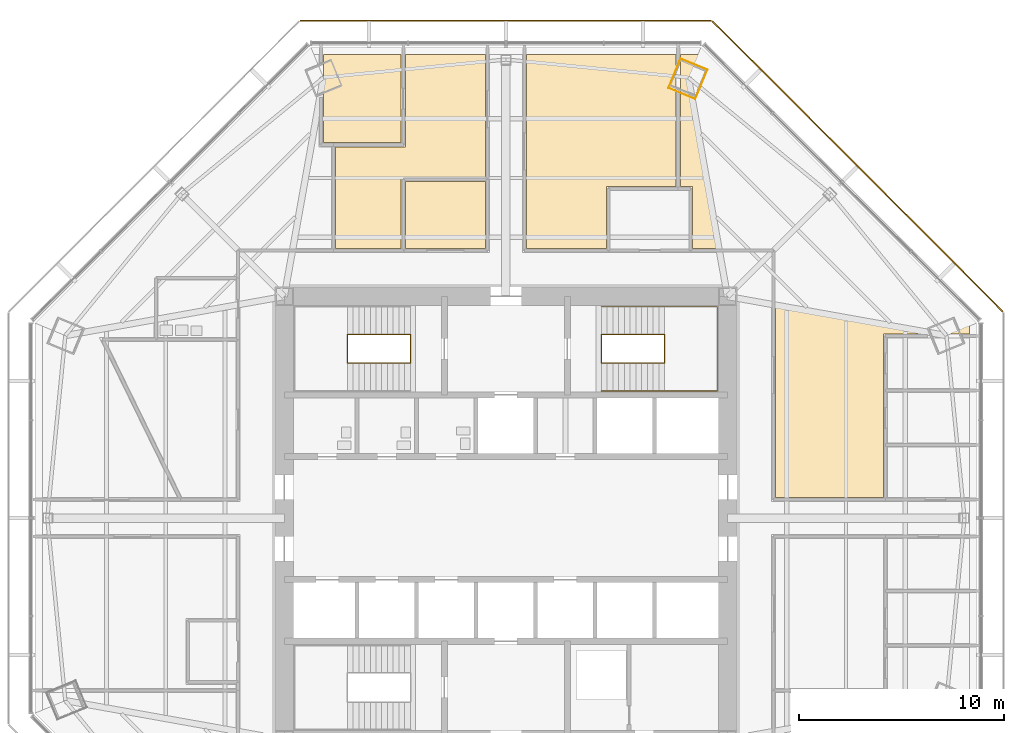
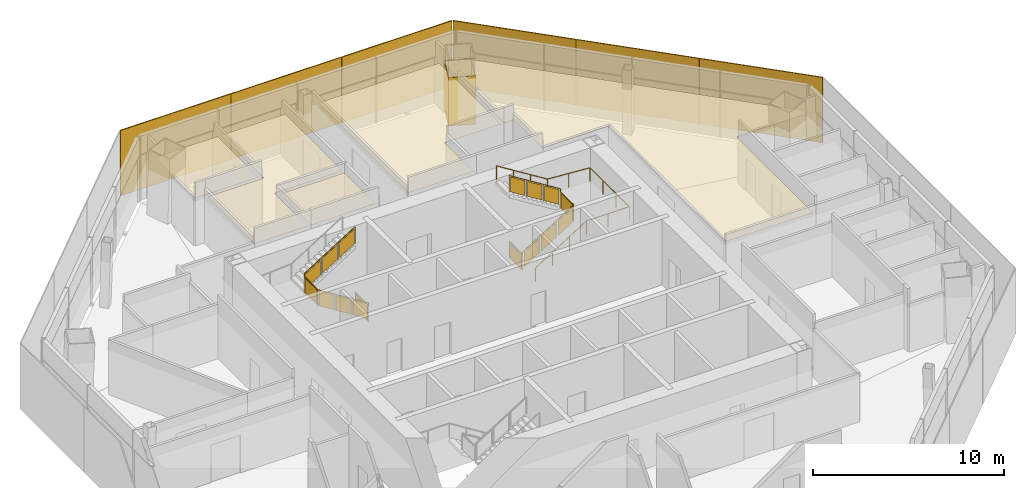
# One storey, part 14 of 15: 6 coverings, 6 shading devices, 3 railings.
"""IFC4 building model written with IfcOpenShell, lengths in metres."""

from ifc_helpers import new_model, si_unit, direction, frame, origin, origin_2d, place, context, subcontext, project, spatial, polyline, rectangle, circle, outline, extrude, source, transform, mapped, material, layer, layer_set, type_object, type_shapes, element, save


model = new_model("IFC4")

# Units and contexts
model_context = context("Model", 3, precision=1e-05, world=origin(), true_north=direction((0.0, 1.0)))
body_context = subcontext(model_context, "Body", "Model", "MODEL_VIEW")
ifc_project = project(units=[si_unit("LENGTHUNIT", "METRE"), si_unit("AREAUNIT", "SQUARE_METRE"), si_unit("VOLUMEUNIT", "CUBIC_METRE"), si_unit("PLANEANGLEUNIT", "RADIAN"), si_unit("MASSUNIT", "GRAM", prefix="KILO")], contexts=[model_context])

# Site, building, storey
site_placement = place(None, origin())
site = spatial("IfcSite", under=ifc_project, at=site_placement, CompositionType="ELEMENT")
building_placement = place(site_placement, origin())
building = spatial("IfcBuilding", under=site, at=building_placement, Name="Mashrafa Tower", CompositionType="ELEMENT")
storey_placement = place(building_placement, frame((0.0, 0.0, 172.199951171875)))
storey = spatial("IfcBuildingStorey", under=building, at=storey_placement, Name="L39", CompositionType="ELEMENT", Elevation=172.199951171875)

# Covering
ifc_material_1 = material(Name="Gypsum board")
ifc_layer_1 = layer(ifc_material_1, 0.014892578125)
ifc_layer_set_1 = layer_set([ifc_layer_1], Name="Column casing plasterboard 15")
covering_type_1 = type_object("IfcCoveringType", Name="Column casing plasterboard 15", PredefinedType="CLADDING", material=ifc_layer_set_1)
covering_1_placement = place(storey_placement, origin())
element("IfcCovering", 1, at=covering_1_placement, inside=storey, type_object=covering_type_1, Name="Column casing L39-001", PredefinedType="CLADDING", context=body_context, shape_type="SweptSolid", body=[
    extrude(outline(polyline([(7.90771484375, 20.958984375), (8.449462890625, 22.26708984375), (8.50439453125, 22.399658203125), (9.825439453125, 21.8525390625), (9.28369140625, 20.544677734375), (9.228759765625, 20.411865234375), (7.90771484375, 20.958984375)]), holes=[polyline([(9.27001953125, 20.55029296875), (9.805908203125, 21.844482421875), (8.512451171875, 22.380126953125), (8.46337890625, 22.26123046875), (7.92724609375, 20.96728515625), (9.220703125, 20.431396484375), (9.27001953125, 20.55029296875)])]), origin(), (0.0, 0.0, 1.0), 3.097900390625),
])

# Railings
ifc_material_2 = material(Name="Steel guard with glass infill", Category="steel")
railing_type_1 = type_object("IfcRailingType", Name="Stair guard 1100", PredefinedType="GUARDRAIL", material=ifc_material_2)
railing_1_placement = place(storey_placement, frame((-4.64990234375, 8.949951171875, 0.0)))
element("IfcRailing", 2, at=railing_1_placement, inside=storey, type_object=railing_type_1, Name="Stair S1 guard L39", PredefinedType="GUARDRAIL", context=body_context, shape_type="SweptSolid", body=[
    extrude(circle(Radius=0.02392578125, at=origin_2d()), frame((0.0, 0.0, 1.076171875), z_axis=(0.0, -1.0, 0.0), x_axis=(1.0, 0.0, 0.0)), (0.0, 0.0, 1.0), 1.39990234375),
    extrude(circle(Radius=0.02392578125, at=origin_2d()), frame((0.0, -1.39990234375, 1.076171875), z_axis=(0.0, 0.0, 1.0), x_axis=(1.0, 0.0, 0.0)), (0.0, 0.0, 1.0), 0.175048828125),
    extrude(circle(Radius=0.02392578125, at=origin_2d()), frame((0.0, -1.39990234375, 1.2509765625), z_axis=(-0.847998304005, 0.0, 0.529998940003), x_axis=(0.0, -1.0, 0.0)), (0.0, 0.0, 1.0), 3.632080078125),
    extrude(circle(Radius=0.02392578125, at=origin_2d()), frame((-3.080078125, -1.39990234375, 3.17626953125), z_axis=(0.0, 1.0, 0.0), x_axis=(-1.0, 0.0, 0.0)), (0.0, 0.0, 1.0), 1.39990234375),
    extrude(circle(Radius=0.02392578125, at=origin_2d()), frame((-3.080078125, 0.0, 3.17626953125), z_axis=(0.0, 0.0, 1.0), x_axis=(1.0, 0.0, 0.0)), (0.0, 0.0, 1.0), 0.175048828125),
    extrude(circle(Radius=0.02392578125, at=origin_2d()), frame((-3.080078125, 0.0, 3.35107421875), z_axis=(0.848028513186, 0.0, 0.529950602248), x_axis=(0.0, 1.0, 0.0)), (0.0, 0.0, 1.0), 3.632080078125),
    extrude(circle(Radius=0.02099609375, at=origin_2d()), origin(), (0.0, 0.0, 1.0), 1.052001953125),
    extrude(circle(Radius=0.02099609375, at=origin_2d()), frame((0.0, -1.39990234375, 0.0)), (0.0, 0.0, 1.0), 1.052001953125),
    extrude(circle(Radius=0.02099609375, at=origin_2d()), frame((0.0, -1.39990234375, 0.175048828125)), (0.0, 0.0, 1.0), 1.052001953125),
    extrude(circle(Radius=0.02099609375, at=origin_2d()), frame((-1.026611328125, -1.39990234375, 0.816650390625)), (0.0, 0.0, 1.0), 1.052001953125),
    extrude(circle(Radius=0.02099609375, at=origin_2d()), frame((-2.053466796875, -1.39990234375, 1.45849609375)), (0.0, 0.0, 1.0), 1.052001953125),
    extrude(circle(Radius=0.02099609375, at=origin_2d()), frame((-3.080078125, -1.39990234375, 2.10009765625)), (0.0, 0.0, 1.0), 1.052001953125),
    extrude(circle(Radius=0.02099609375, at=origin_2d()), frame((-3.080078125, 0.0, 2.10009765625)), (0.0, 0.0, 1.0), 1.052001953125),
    extrude(circle(Radius=0.02099609375, at=origin_2d()), frame((-3.080078125, 0.0, 2.275146484375)), (0.0, 0.0, 1.0), 1.052001953125),
    extrude(circle(Radius=0.02099609375, at=origin_2d()), frame((-2.053466796875, 0.0, 2.916748046875)), (0.0, 0.0, 1.0), 1.052001953125),
    extrude(circle(Radius=0.02099609375, at=origin_2d()), frame((-1.026611328125, 0.0, 3.558349609375)), (0.0, 0.0, 1.0), 1.052001953125),
    extrude(circle(Radius=0.02099609375, at=origin_2d()), frame((0.0, 0.0, 4.199951171875)), (0.0, 0.0, 1.0), 1.052001953125),
    extrude(outline(polyline([(0.071044921875, 0.050048828125), (1.328857421875, 0.050048828125), (1.328857421875, 1.001953125), (0.071044921875, 1.001953125), (0.071044921875, 0.050048828125)])), frame((-0.006103515625, 0.0, 0.0), z_axis=(-1.0, 0.0, 0.0), x_axis=(0.0, -1.0, 0.0)), (0.0, 0.0, 1.0), 0.011962890625),
    extrude(outline(polyline([(0.071044921875, 0.094482421875), (0.955810546875, 0.647216796875), (0.955810546875, 1.599365234375), (0.071044921875, 1.04638671875), (0.071044921875, 0.094482421875)])), frame((0.0, -1.393798828125, 0.175048828125), z_axis=(0.0, 1.0, 0.0), x_axis=(-1.0, 0.0, 0.0)), (0.0, 0.0, 1.0), 0.011962890625),
    extrude(outline(polyline([(1.09765625, 0.736083984375), (1.982421875, 1.2890625), (1.982421875, 2.240966796875), (1.09765625, 1.68798828125), (1.09765625, 0.736083984375)])), frame((0.0, -1.393798828125, 0.175048828125), z_axis=(0.0, 1.0, 0.0), x_axis=(-1.0, 0.0, 0.0)), (0.0, 0.0, 1.0), 0.011962890625),
    extrude(outline(polyline([(2.124267578125, 1.377685546875), (3.009033203125, 1.9306640625), (3.009033203125, 2.882568359375), (2.124267578125, 2.329833984375), (2.124267578125, 1.377685546875)])), frame((0.0, -1.393798828125, 0.175048828125), z_axis=(0.0, 1.0, 0.0), x_axis=(-1.0, 0.0, 0.0)), (0.0, 0.0, 1.0), 0.011962890625),
    extrude(outline(polyline([(0.071044921875, 0.050048828125), (1.328857421875, 0.050048828125), (1.328857421875, 1.001953125), (0.071044921875, 1.001953125), (0.071044921875, 0.050048828125)])), frame((-3.073974609375, -1.39990234375, 2.10009765625), z_axis=(1.0, 0.0, 0.0), x_axis=(0.0, 1.0, 0.0)), (0.0, 0.0, 1.0), 0.011962890625),
    extrude(outline(polyline([(0.071044921875, 0.094482421875), (0.955810546875, 0.647216796875), (0.955810546875, 1.59912109375), (0.071044921875, 1.04638671875), (0.071044921875, 0.094482421875)])), frame((-3.080078125, -0.006103515625, 2.275146484375), z_axis=(0.0, -1.0, 0.0), x_axis=(1.0, 0.0, 0.0)), (0.0, 0.0, 1.0), 0.011962890625),
    extrude(outline(polyline([(1.09765625, 0.736083984375), (1.982421875, 1.288818359375), (1.982421875, 2.24072265625), (1.09765625, 1.68798828125), (1.09765625, 0.736083984375)])), frame((-3.080078125, -0.006103515625, 2.275146484375), z_axis=(0.0, -1.0, 0.0), x_axis=(1.0, 0.0, 0.0)), (0.0, 0.0, 1.0), 0.011962890625),
    extrude(outline(polyline([(2.124267578125, 1.377685546875), (3.009033203125, 1.930419921875), (3.009033203125, 2.88232421875), (2.124267578125, 2.32958984375), (2.124267578125, 1.377685546875)])), frame((-3.080078125, -0.006103515625, 2.275146484375), z_axis=(0.0, -1.0, 0.0), x_axis=(1.0, 0.0, 0.0)), (0.0, 0.0, 1.0), 0.011962890625),
])
railing_2_placement = place(storey_placement, frame((4.64990234375, 8.949951171875, 0.0)))
element("IfcRailing", 3, at=railing_2_placement, inside=storey, type_object=railing_type_1, Name="Stair S2 guard L39", PredefinedType="GUARDRAIL", context=body_context, shape_type="SweptSolid", body=[
    extrude(circle(Radius=0.02392578125, at=origin_2d()), frame((0.0, 0.0, 1.076171875), z_axis=(0.0, -1.0, 0.0), x_axis=(1.0, 0.0, 0.0)), (0.0, 0.0, 1.0), 1.39990234375),
    extrude(circle(Radius=0.02392578125, at=origin_2d()), frame((0.0, -1.39990234375, 1.076171875), z_axis=(0.0, 0.0, 1.0), x_axis=(1.0, 0.0, 0.0)), (0.0, 0.0, 1.0), 0.175048828125),
    extrude(circle(Radius=0.02392578125, at=origin_2d()), frame((0.0, -1.39990234375, 1.2509765625), z_axis=(0.847998304005, 0.0, 0.529998940003), x_axis=(0.0, 1.0, 0.0)), (0.0, 0.0, 1.0), 3.632080078125),
    extrude(circle(Radius=0.02392578125, at=origin_2d()), frame((3.080078125, -1.39990234375, 3.17626953125), z_axis=(0.0, 1.0, 0.0), x_axis=(-1.0, 0.0, 0.0)), (0.0, 0.0, 1.0), 1.39990234375),
    extrude(circle(Radius=0.02392578125, at=origin_2d()), frame((3.080078125, 0.0, 3.17626953125), z_axis=(0.0, 0.0, 1.0), x_axis=(1.0, 0.0, 0.0)), (0.0, 0.0, 1.0), 0.175048828125),
    extrude(circle(Radius=0.02392578125, at=origin_2d()), frame((3.080078125, 0.0, 3.35107421875), z_axis=(-0.848028513186, 0.0, 0.529950602248), x_axis=(0.0, -1.0, 0.0)), (0.0, 0.0, 1.0), 3.632080078125),
    extrude(circle(Radius=0.02099609375, at=origin_2d()), origin(), (0.0, 0.0, 1.0), 1.052001953125),
    extrude(circle(Radius=0.02099609375, at=origin_2d()), frame((0.0, -1.39990234375, 0.0)), (0.0, 0.0, 1.0), 1.052001953125),
    extrude(circle(Radius=0.02099609375, at=origin_2d()), frame((0.0, -1.39990234375, 0.175048828125)), (0.0, 0.0, 1.0), 1.052001953125),
    extrude(circle(Radius=0.02099609375, at=origin_2d()), frame((1.026611328125, -1.39990234375, 0.816650390625)), (0.0, 0.0, 1.0), 1.052001953125),
    extrude(circle(Radius=0.02099609375, at=origin_2d()), frame((2.053466796875, -1.39990234375, 1.45849609375)), (0.0, 0.0, 1.0), 1.052001953125),
    extrude(circle(Radius=0.02099609375, at=origin_2d()), frame((3.080078125, -1.39990234375, 2.10009765625)), (0.0, 0.0, 1.0), 1.052001953125),
    extrude(circle(Radius=0.02099609375, at=origin_2d()), frame((3.080078125, 0.0, 2.10009765625)), (0.0, 0.0, 1.0), 1.052001953125),
    extrude(circle(Radius=0.02099609375, at=origin_2d()), frame((3.080078125, 0.0, 2.275146484375)), (0.0, 0.0, 1.0), 1.052001953125),
    extrude(circle(Radius=0.02099609375, at=origin_2d()), frame((2.053466796875, 0.0, 2.916748046875)), (0.0, 0.0, 1.0), 1.052001953125),
    extrude(circle(Radius=0.02099609375, at=origin_2d()), frame((1.026611328125, 0.0, 3.558349609375)), (0.0, 0.0, 1.0), 1.052001953125),
    extrude(circle(Radius=0.02099609375, at=origin_2d()), frame((0.0, 0.0, 4.199951171875)), (0.0, 0.0, 1.0), 1.052001953125),
    extrude(outline(polyline([(0.071044921875, 0.050048828125), (1.328857421875, 0.050048828125), (1.328857421875, 1.001953125), (0.071044921875, 1.001953125), (0.071044921875, 0.050048828125)])), frame((-0.006103515625, 0.0, 0.0), z_axis=(-1.0, 0.0, 0.0), x_axis=(0.0, -1.0, 0.0)), (0.0, 0.0, 1.0), 0.011962890625),
    extrude(outline(polyline([(0.071044921875, 0.094482421875), (0.955810546875, 0.647216796875), (0.955810546875, 1.599365234375), (0.071044921875, 1.04638671875), (0.071044921875, 0.094482421875)])), frame((0.0, -1.406005859375, 0.175048828125), z_axis=(0.0, -1.0, 0.0), x_axis=(1.0, 0.0, 0.0)), (0.0, 0.0, 1.0), 0.011962890625),
    extrude(outline(polyline([(1.09765625, 0.736083984375), (1.982421875, 1.2890625), (1.982421875, 2.240966796875), (1.09765625, 1.68798828125), (1.09765625, 0.736083984375)])), frame((0.0, -1.406005859375, 0.175048828125), z_axis=(0.0, -1.0, 0.0), x_axis=(1.0, 0.0, 0.0)), (0.0, 0.0, 1.0), 0.011962890625),
    extrude(outline(polyline([(2.124267578125, 1.377685546875), (3.009033203125, 1.9306640625), (3.009033203125, 2.882568359375), (2.124267578125, 2.329833984375), (2.124267578125, 1.377685546875)])), frame((0.0, -1.406005859375, 0.175048828125), z_axis=(0.0, -1.0, 0.0), x_axis=(1.0, 0.0, 0.0)), (0.0, 0.0, 1.0), 0.011962890625),
    extrude(outline(polyline([(0.071044921875, 0.050048828125), (1.328857421875, 0.050048828125), (1.328857421875, 1.001953125), (0.071044921875, 1.001953125), (0.071044921875, 0.050048828125)])), frame((3.086181640625, -1.39990234375, 2.10009765625), z_axis=(1.0, 0.0, 0.0), x_axis=(0.0, 1.0, 0.0)), (0.0, 0.0, 1.0), 0.011962890625),
    extrude(outline(polyline([(0.071044921875, 0.094482421875), (0.955810546875, 0.647216796875), (0.955810546875, 1.59912109375), (0.071044921875, 1.04638671875), (0.071044921875, 0.094482421875)])), frame((3.080078125, 0.006103515625, 2.275146484375), z_axis=(0.0, 1.0, 0.0), x_axis=(-1.0, 0.0, 0.0)), (0.0, 0.0, 1.0), 0.011962890625),
    extrude(outline(polyline([(1.09765625, 0.736083984375), (1.982421875, 1.288818359375), (1.982421875, 2.24072265625), (1.09765625, 1.68798828125), (1.09765625, 0.736083984375)])), frame((3.080078125, 0.006103515625, 2.275146484375), z_axis=(0.0, 1.0, 0.0), x_axis=(-1.0, 0.0, 0.0)), (0.0, 0.0, 1.0), 0.011962890625),
    extrude(outline(polyline([(2.124267578125, 1.377685546875), (3.009033203125, 1.930419921875), (3.009033203125, 2.88232421875), (2.124267578125, 2.32958984375), (2.124267578125, 1.377685546875)])), frame((3.080078125, 0.006103515625, 2.275146484375), z_axis=(0.0, 1.0, 0.0), x_axis=(-1.0, 0.0, 0.0)), (0.0, 0.0, 1.0), 0.011962890625),
])
ifc_material_3 = material(Name="Steel", Category="steel")
railing_type_2 = type_object("IfcRailingType", Name="Stair handrail 900", PredefinedType="HANDRAIL", material=ifc_material_3)
railing_3_placement = place(storey_placement, frame((4.64990234375, 6.199951171875, 0.175048828125)))
element("IfcRailing", 4, at=railing_3_placement, inside=storey, type_object=railing_type_2, Name="Stair S2 handrail L39", PredefinedType="HANDRAIL", context=body_context, shape_type="SweptSolid", body=[
    extrude(circle(Radius=0.02392578125, at=origin_2d()), frame((0.0, 0.0, 0.8759765625), z_axis=(0.847998304005, 0.0, 0.529998940003), x_axis=(0.0, 1.0, 0.0)), (0.0, 0.0, 1.0), 3.632080078125),
    extrude(circle(Radius=0.02392578125, at=origin_2d()), frame((3.080078125, 0.0, 2.80078125), z_axis=(1.0, 0.0, 0.0), x_axis=(0.0, 1.0, 0.0)), (0.0, 0.0, 1.0), 2.570068359375),
    extrude(circle(Radius=0.02392578125, at=origin_2d()), frame((5.650146484375, 0.0, 2.80078125), z_axis=(0.0, 1.0, 0.0), x_axis=(-1.0, 0.0, 0.0)), (0.0, 0.0, 1.0), 4.10009765625),
    extrude(circle(Radius=0.02392578125, at=origin_2d()), frame((5.650146484375, 4.10009765625, 2.80078125), z_axis=(-0.997688514158, 0.0, 0.067953136188), x_axis=(0.0, -1.0, 0.0)), (0.0, 0.0, 1.0), 2.575927734375),
    extrude(circle(Radius=0.02392578125, at=origin_2d()), frame((3.080078125, 4.10009765625, 2.97607421875), z_axis=(-0.848028513186, 0.0, 0.529950602248), x_axis=(0.0, -1.0, 0.0)), (0.0, 0.0, 1.0), 3.632080078125),
    extrude(circle(Radius=0.02099609375, at=origin_2d()), origin(), (0.0, 0.0, 1.0), 0.851806640625),
    extrude(circle(Radius=0.02099609375, at=origin_2d()), frame((1.026611328125, 0.0, 0.6416015625)), (0.0, 0.0, 1.0), 0.851806640625),
    extrude(circle(Radius=0.02099609375, at=origin_2d()), frame((2.053466796875, 0.0, 1.283447265625)), (0.0, 0.0, 1.0), 0.851806640625),
    extrude(circle(Radius=0.02099609375, at=origin_2d()), frame((3.080078125, 0.0, 1.925048828125)), (0.0, 0.0, 1.0), 0.851806640625),
    extrude(circle(Radius=0.02099609375, at=origin_2d()), frame((4.365234375, 0.0, 1.925048828125)), (0.0, 0.0, 1.0), 0.851806640625),
    extrude(circle(Radius=0.02099609375, at=origin_2d()), frame((5.650146484375, 0.0, 1.925048828125)), (0.0, 0.0, 1.0), 0.851806640625),
    extrude(circle(Radius=0.02099609375, at=origin_2d()), frame((5.650146484375, 1.36669921875, 1.925048828125)), (0.0, 0.0, 1.0), 0.851806640625),
    extrude(circle(Radius=0.02099609375, at=origin_2d()), frame((5.650146484375, 2.7333984375, 1.925048828125)), (0.0, 0.0, 1.0), 0.851806640625),
    extrude(circle(Radius=0.02099609375, at=origin_2d()), frame((5.650146484375, 4.10009765625, 1.925048828125)), (0.0, 0.0, 1.0), 0.851806640625),
    extrude(circle(Radius=0.02099609375, at=origin_2d()), frame((4.365234375, 4.10009765625, 2.0126953125)), (0.0, 0.0, 1.0), 0.851806640625),
    extrude(circle(Radius=0.02099609375, at=origin_2d()), frame((3.080078125, 4.10009765625, 2.10009765625)), (0.0, 0.0, 1.0), 0.851806640625),
    extrude(circle(Radius=0.02099609375, at=origin_2d()), frame((2.053466796875, 4.10009765625, 2.74169921875)), (0.0, 0.0, 1.0), 0.851806640625),
    extrude(circle(Radius=0.02099609375, at=origin_2d()), frame((1.026611328125, 4.10009765625, 3.38330078125)), (0.0, 0.0, 1.0), 0.851806640625),
    extrude(circle(Radius=0.02099609375, at=origin_2d()), frame((0.0, 4.10009765625, 4.02490234375)), (0.0, 0.0, 1.0), 0.851806640625),
])

# Coverings
ifc_material_4 = material(Name="Mineral fibre tile on suspension grid")
ifc_layer_2 = layer(ifc_material_4, 0.014892578125)
ifc_layer_set_2 = layer_set([ifc_layer_2], Name="Suspended ceiling mineral tile 15")
covering_type_2 = type_object("IfcCoveringType", Name="Suspended ceiling mineral tile 15", PredefinedType="CEILING", material=ifc_layer_set_2)
covering_2_placement = place(storey_placement, frame((0.0, 0.0, 2.900146484375)))
element("IfcCovering", 5, at=covering_2_placement, inside=storey, type_object=covering_type_2, Name="Ceiling Reception 39-1", PredefinedType="CEILING", context=body_context, shape_type="SweptSolid", body=[
    extrude(outline(polyline([(-4.89990234375, 16.39990234375), (-1.0, 16.39990234375), (-1.0, 13.14990234375), (-4.89990234375, 13.14990234375), (-4.89990234375, 16.39990234375)])), origin(), (0.0, 0.0, 1.0), 0.014892578125),
])
covering_3_placement = place(storey_placement, frame((0.0, 0.0, 2.900146484375)))
element("IfcCovering", 6, at=covering_3_placement, inside=storey, type_object=covering_type_2, Name="Ceiling Meeting Room 39-1-NW2", PredefinedType="CEILING", context=body_context, shape_type="SweptSolid", body=[
    extrude(outline(polyline([(-8.89990234375, 22.593505859375), (-5.10009765625, 22.593505859375), (-5.10009765625, 18.29345703125), (-8.89990234375, 18.29345703125), (-8.89990234375, 22.593505859375)])), origin(), (0.0, 0.0, 1.0), 0.014892578125),
])
covering_4_placement = place(storey_placement, frame((0.0, 0.0, 2.900146484375)))
element("IfcCovering", 7, at=covering_4_placement, inside=storey, type_object=covering_type_2, Name="Ceiling Office Tenancy 39-1-NE1", PredefinedType="CEILING", context=body_context, shape_type="SweptSolid", body=[
    extrude(outline(polyline([(8.5, 16.14990234375), (8.5, 22.593505859375), (9.3583984375, 22.593505859375), (22.593505859375, 9.3583984375), (22.593505859375, 8.967041015625), (18.393310546875, 8.967041015625), (18.393310546875, 1.0), (13.14990234375, 1.0), (13.14990234375, 13.14990234375), (9.10009765625, 13.14990234375), (9.10009765625, 16.14990234375), (8.5, 16.14990234375)])), origin(), (0.0, 0.0, 1.0), 0.014892578125),
])
covering_5_placement = place(storey_placement, frame((0.0, 0.0, 2.900146484375)))
element("IfcCovering", 8, at=covering_5_placement, inside=storey, type_object=covering_type_2, Name="Ceiling Office Tenancy 39-2-NE2", PredefinedType="CEILING", context=body_context, shape_type="SweptSolid", body=[
    extrude(outline(polyline([(1.0, 22.593505859375), (8.300048828125, 22.593505859375), (8.300048828125, 16.14990234375), (4.89990234375, 16.14990234375), (4.89990234375, 13.14990234375), (1.0, 13.14990234375), (1.0, 22.593505859375)])), origin(), (0.0, 0.0, 1.0), 0.014892578125),
])
covering_6_placement = place(storey_placement, frame((0.0, 0.0, 2.900146484375)))
element("IfcCovering", 9, at=covering_6_placement, inside=storey, type_object=covering_type_2, Name="Ceiling Office Tenancy 39-1-NW2", PredefinedType="CEILING", context=body_context, shape_type="SweptSolid", body=[
    extrude(outline(polyline([(-8.300048828125, 13.14990234375), (-8.300048828125, 18.093505859375), (-4.89990234375, 18.093505859375), (-4.89990234375, 22.593505859375), (-1.0, 22.593505859375), (-1.0, 16.60009765625), (-5.10009765625, 16.60009765625), (-5.10009765625, 13.14990234375), (-8.300048828125, 13.14990234375)])), origin(), (0.0, 0.0, 1.0), 0.014892578125),
])

# Shading devices
ifc_material_5 = material(Name="Perforated aluminium plate, eight-point star pattern", Category="aluminium")
ifc_layer_3 = layer(ifc_material_5, 0.06005859375)
ifc_layer_set_3 = layer_set([ifc_layer_3], Name="Mashrabiya screen panel office zone 2, 40 percent open")
shading_device_type = type_object("IfcShadingDeviceType", Name="Mashrabiya screen panel office zone 2, 40 percent open", PredefinedType="SHUTTER", material=ifc_layer_set_3)
shared_shape = source(origin(), body_context, "Body", "SweptSolid", [
    extrude(rectangle(XDim=6.65966796875, YDim=0.06005859375, at=origin_2d()), origin(), (0.0, 0.0, 1.0), 4.179931640625),
])
type_shapes(shading_device_type, [shared_shape])
for number, where, z_axis, x_axis, name in (
    (10, (21.865966796875, 12.41943359375, -0.14990234375), (0.0, 0.0, 1.0), (-0.707106781187, 0.707106781187, 0.0), "Mashrabiya screen L39 north-east 1"),
    (11, (17.142578125, 17.142578125, -0.14990234375), (0.0, 0.0, 1.0), (-0.707106781187, 0.707106781187, 0.0), "Mashrabiya screen L39 north-east 2"),
    (12, (12.41943359375, 21.865966796875, -0.14990234375), (0.0, 0.0, 1.0), (-0.707106781187, 0.707106781187, 0.0), "Mashrabiya screen L39 north-east 3"),
    (13, (6.6796875, 24.243408203125, -0.14990234375), (0.0, 0.0, 1.0), (-1.0, 0.0, 0.0), "Mashrabiya screen L39 north 1"),
    (14, (0.0, 24.243408203125, -0.14990234375), (0.0, 0.0, 1.0), (-1.0, 0.0, 0.0), "Mashrabiya screen L39 north 2"),
    (15, (-6.6796875, 24.243408203125, -0.14990234375), (0.0, 0.0, 1.0), (-1.0, 0.0, 0.0), "Mashrabiya screen L39 north 3"),
):
    element("IfcShadingDevice", number, at=place(storey_placement, frame(where, z_axis=z_axis, x_axis=x_axis)), inside=storey, type_object=shading_device_type, Name=name, PredefinedType="SHUTTER", context=body_context, shape_type="MappedRepresentation", body=[
        mapped(shared_shape, transform((0.0, 0.0, 0.0))),
    ])

save(model, "model.ifc")
